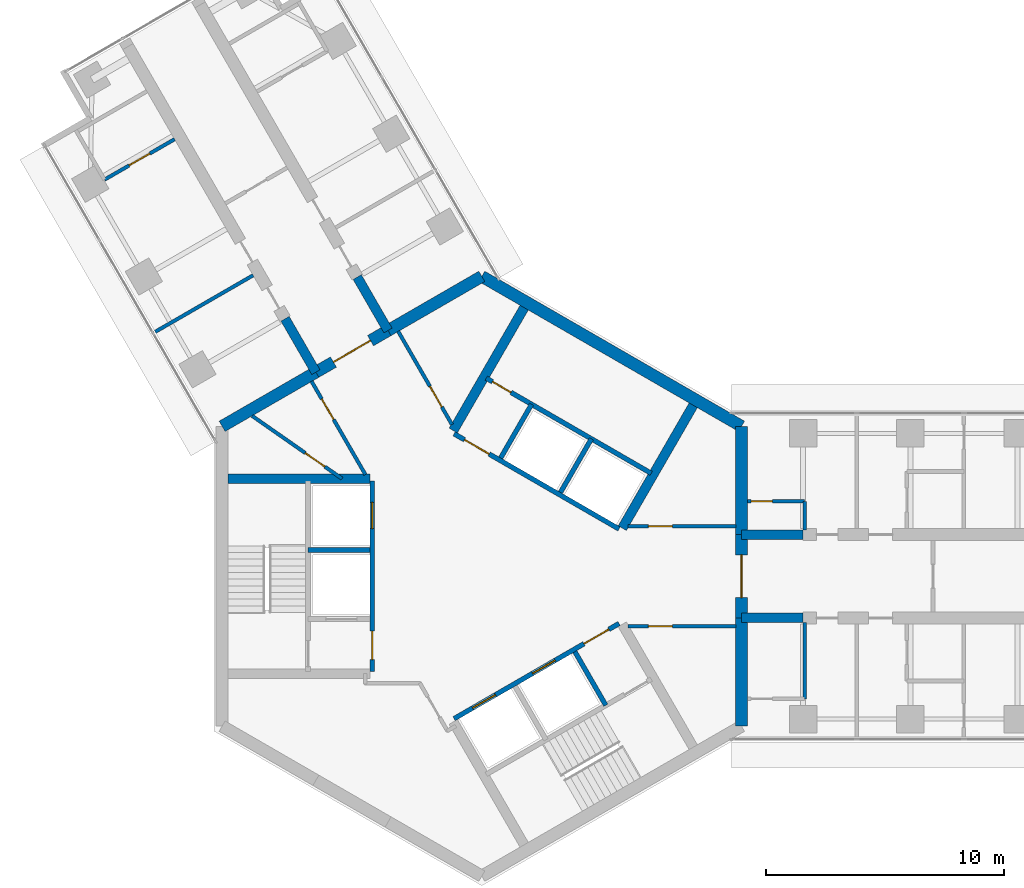
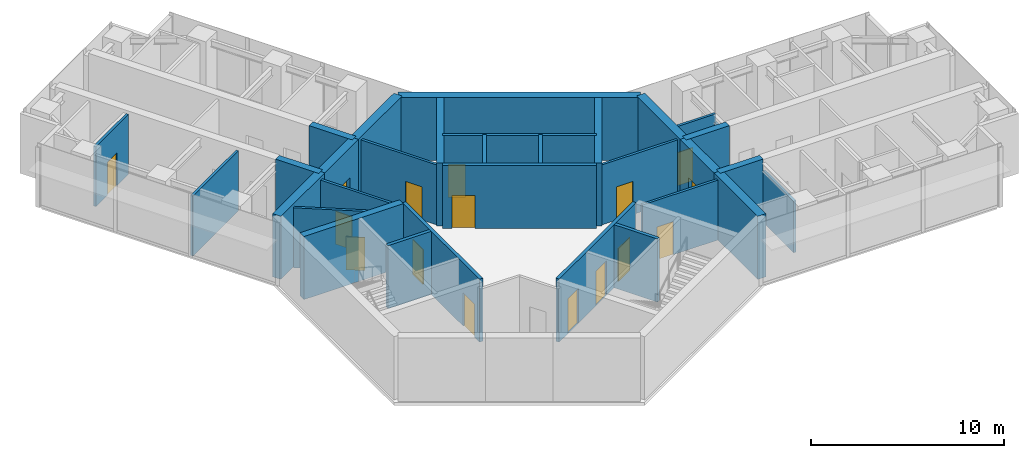
# One storey, part 12 of 17: 32 walls, 16 doors, 16 openings.
"""IFC4 building model written with IfcOpenShell, lengths in metres."""

import ifcopenshell
import ifcopenshell.guid

model = None  # the IFC model being written
_history = None  # IfcOwnerHistory: only IFC2X3 demands one
_inside = {}  # id of a spatial element -> (the spatial element, [elements in it])
_under = {}  # id of a project, library or spatial element -> (it, [spatial elements below it])
_declared = {}  # id of a project -> (the project, [libraries it declares])
_typed = {}  # id of a type object -> (the type object, [elements of that type])
_made_of = {}  # id of a material, layer set ... -> (it, [elements and type objects made of it])


def new_model(schema):
    """Start an empty IFC model of exactly this schema.

    Asked for "IFC4X3", IfcOpenShell would pick the latest addendum, in which some entities
    have other attributes; the version numbers below select the first issue.
    IFC2X3 requires an IfcOwnerHistory on every rooted entity: one is made here for all.
    """
    global model, _history
    if schema == "IFC4X3":
        model = ifcopenshell.file(schema_version=(4, 3, 0, 0))
    else:
        model = ifcopenshell.file(schema=schema)
    _inside.clear()
    _under.clear()
    _declared.clear()
    _typed.clear()
    _made_of.clear()
    _history = None
    if model.schema == "IFC2X3":
        org = make("IfcOrganization", Name="unknown")
        user = make(
            "IfcPersonAndOrganization",
            ThePerson=make("IfcPerson", FamilyName="unknown"),
            TheOrganization=org,
        )
        app = make(
            "IfcApplication",
            ApplicationDeveloper=org,
            Version="unknown",
            ApplicationFullName="unknown",
            ApplicationIdentifier="unknown",
        )
        _history = make(
            "IfcOwnerHistory",
            OwningUser=user,
            OwningApplication=app,
            ChangeAction="ADDED",
            CreationDate=0,
        )
    return model


def make(cls, **values):
    """One entity of the class cls with the attributes given. An attribute that is None is left unset."""
    return model.create_entity(
        cls, **{name: value for name, value in values.items() if value is not None}
    )


def rooted(cls, **values):
    """An entity with a GlobalId (a new one), such as an element, a storey or a relation."""
    return make(cls, GlobalId=ifcopenshell.guid.new(), OwnerHistory=_history, **values)


def si_unit(unit_type, name, prefix=None):
    """IfcSIUnit, for example si_unit("LENGTHUNIT", "METRE", prefix="MILLI")."""
    return make("IfcSIUnit", UnitType=unit_type, Prefix=prefix, Name=name)


def assignment(units):
    """IfcUnitAssignment: the units of a project."""
    return None if units is None else make("IfcUnitAssignment", Units=units)


def point(xyz):
    """IfcCartesianPoint."""
    return None if xyz is None else make("IfcCartesianPoint", Coordinates=xyz)


def direction(xyz):
    """IfcDirection."""
    return None if xyz is None else make("IfcDirection", DirectionRatios=xyz)


def frame(location, z_axis=None, x_axis=None):
    """IfcAxis2Placement3D, a coordinate frame: its origin and axes. An axis left out is left unset."""
    return make(
        "IfcAxis2Placement3D",
        Location=point(location),
        Axis=direction(z_axis),
        RefDirection=direction(x_axis),
    )


def frame_2d(location, x_axis=None):
    """IfcAxis2Placement2D, a coordinate frame in the plane: its origin and x axis."""
    return make(
        "IfcAxis2Placement2D", Location=point(location), RefDirection=direction(x_axis)
    )


def origin():
    """The frame at (0, 0, 0) with its axes left unset."""
    return frame((0.0, 0.0, 0.0))


def place(relative_to, where):
    """IfcLocalPlacement: puts the frame where relative to a parent placement (None: the world)."""
    return make(
        "IfcLocalPlacement", PlacementRelTo=relative_to, RelativePlacement=where
    )


def context(
    kind, dimensions, precision=None, world=None, true_north=None, identifier=None
):
    """IfcGeometricRepresentationContext, for example the 3D "Model" context."""
    return make(
        "IfcGeometricRepresentationContext",
        ContextIdentifier=identifier,
        ContextType=kind,
        CoordinateSpaceDimension=dimensions,
        Precision=precision,
        WorldCoordinateSystem=world,
        TrueNorth=true_north,
    )


def subcontext(parent, identifier, kind, view, scale=None):
    """IfcGeometricRepresentationSubContext, for example "Body" below "Model"."""
    return make(
        "IfcGeometricRepresentationSubContext",
        ContextIdentifier=identifier,
        ContextType=kind,
        ParentContext=parent,
        TargetScale=scale,
        TargetView=view,
    )


def project(units=None, contexts=None):
    """IfcProject with its units and contexts."""
    return rooted(
        "IfcProject",
        Name="project",
        RepresentationContexts=contexts,
        UnitsInContext=assignment(units),
    )


def spatial(cls, under=None, at=None, **own):
    """A site, building, storey or space (cls), placed at a placement, below another one or the project."""
    s = rooted(cls, ObjectPlacement=at, **own)
    if under is not None:
        _under.setdefault(under.id(), (under, []))[1].append(s)
    return s


def profile(cls, at=None, kind="AREA", **sizes):
    """A parametric profile (cls). Its sizes go by their IFC names, for example OverallWidth=200.0."""
    return make(cls, ProfileType=kind, Position=at, **sizes)


def rectangle(**sizes):
    """IfcRectangleProfileDef."""
    return profile("IfcRectangleProfileDef", **sizes)


def extrude(swept, where, along, depth):
    """IfcExtrudedAreaSolid: the profile swept, set in the frame where, extruded along a direction by depth."""
    return make(
        "IfcExtrudedAreaSolid",
        SweptArea=swept,
        Position=where,
        ExtrudedDirection=direction(along),
        Depth=depth,
    )


def shape(context_of_items, identifier, shape_type, items):
    """IfcShapeRepresentation: the items that make up one representation, for example the "Body"."""
    return make(
        "IfcShapeRepresentation",
        ContextOfItems=context_of_items,
        RepresentationIdentifier=identifier,
        RepresentationType=shape_type,
        Items=items,
    )


def material(Name=None, Category=None):
    """IfcMaterial."""
    return make("IfcMaterial", Name=Name, Category=Category)


def layer(
    of_material, thickness, ventilated=None, Name=None, Category=None, Priority=None
):
    """IfcMaterialLayer: one layer of a wall or slab, of a material (None: an air gap)."""
    return make(
        "IfcMaterialLayer",
        Material=of_material,
        LayerThickness=thickness,
        IsVentilated=ventilated,
        Name=Name,
        Category=Category,
        Priority=Priority,
    )


def layer_set(layers, Name=None):
    """IfcMaterialLayerSet."""
    return make("IfcMaterialLayerSet", MaterialLayers=layers, LayerSetName=Name)


def made_of(thing, what):
    """Note that an element or type object is made of a material, layer set ...; save() writes the relation."""
    if what is not None:
        _made_of.setdefault(what.id(), (what, []))[1].append(thing)
    return thing


def type_object(cls, material=None, **own):
    """A type object (cls), such as IfcWallType, which elements share."""
    return made_of(rooted(cls, **own), material)


def element(
    cls,
    number,
    at=None,
    inside=None,
    cuts=None,
    type_object=None,
    material=None,
    context=None,
    identifier="Body",
    shape_type=None,
    held_by="IfcProductDefinitionShape",
    body=None,
    shapes=None,
    **own,
):
    """One element of the class cls, such as IfcWall. Its Tag is "e" and its number.

    at: its placement. inside: the storey or other place that contains it. cuts: it is an
    opening in that element (IfcRelVoidsElement). A single representation is given by context,
    identifier, shape_type and body (its items); several are given by shapes. held_by: the class
    of the entity that holds the representations. save() writes the other relations.
    """
    e = rooted(cls, Tag="e%d" % number, ObjectPlacement=at, **own)
    if body is not None:
        shapes = [shape(context, identifier, shape_type, body)]
    if shapes is not None:
        e.Representation = make(held_by, Representations=shapes)
    if inside is not None:
        _inside.setdefault(inside.id(), (inside, []))[1].append(e)
    if cuts is not None:
        rooted(
            "IfcRelVoidsElement", RelatingBuildingElement=cuts, RelatedOpeningElement=e
        )
    if type_object is not None:
        _typed.setdefault(type_object.id(), (type_object, []))[1].append(e)
    return made_of(e, material)


def fill(opening, filler):
    """IfcRelFillsElement: the door or window that sits in an opening."""
    return rooted(
        "IfcRelFillsElement",
        RelatingOpeningElement=opening,
        RelatedBuildingElement=filler,
    )


def aggregate(whole, parts):
    """IfcRelAggregates: a whole, such as a stair, and the parts it consists of."""
    return rooted("IfcRelAggregates", RelatingObject=whole, RelatedObjects=parts)


def save(model, path):
    """Write the relations noted so far, then the file.

    IfcRelAggregates (storeys below a building ...), IfcRelContainedInSpatialStructure (elements
    in a storey), IfcRelDefinesByType, IfcRelAssociatesMaterial and IfcRelDeclares: one each for
    every whole, place, type object, material and project.
    """
    for whole, parts in _under.values():
        aggregate(whole, parts)
    for where, things in _inside.values():
        rooted(
            "IfcRelContainedInSpatialStructure",
            RelatedElements=things,
            RelatingStructure=where,
        )
    for kind, things in _typed.values():
        rooted("IfcRelDefinesByType", RelatedObjects=things, RelatingType=kind)
    for what, things in _made_of.values():
        rooted("IfcRelAssociatesMaterial", RelatedObjects=things, RelatingMaterial=what)
    for by, libraries in _declared.values():
        rooted("IfcRelDeclares", RelatingContext=by, RelatedDefinitions=libraries)
    model.write(path)


model = new_model("IFC4")

# Units and contexts
model_context = context("Model", 3, precision=1e-05, world=origin(), true_north=direction((0.0, 1.0)))
body_context = subcontext(model_context, "Body", "Model", "MODEL_VIEW")
ifc_project = project(units=[si_unit("LENGTHUNIT", "METRE"), si_unit("AREAUNIT", "SQUARE_METRE"), si_unit("VOLUMEUNIT", "CUBIC_METRE"), si_unit("PLANEANGLEUNIT", "RADIAN"), si_unit("MASSUNIT", "GRAM", prefix="KILO")], contexts=[model_context])

# Site, building, storey
site_placement = place(None, origin())
site = spatial("IfcSite", under=ifc_project, at=site_placement, CompositionType="ELEMENT")
building_placement = place(site_placement, origin())
building = spatial("IfcBuilding", under=site, at=building_placement, Name="Upepo Twin Towers", CompositionType="ELEMENT")
storey_placement = place(building_placement, frame((0.0, 0.0, 206.5)))
storey = spatial("IfcBuildingStorey", under=building, at=storey_placement, Name="L50", CompositionType="ELEMENT", Elevation=206.5)

# Walls
ifc_material_1 = material(Name="Concrete C60/75", Category="concrete")
ifc_layer_1 = layer(ifc_material_1, 0.39990234375)
ifc_layer_set_1 = layer_set([ifc_layer_1], Name="Concrete C60/75")
wall_type_1 = type_object("IfcWallType", Name="Buttress wall 400 RC", PredefinedType="SHEAR", material=ifc_layer_set_1)
for number, where, z_axis, x_axis, name in (
    (1, (10.908447265625, 1.75, 0.0), (0.0, 0.0, 1.0), (1.0, 0.0, 0.0), "T1 wing A buttress wall L"),
    (2, (10.908447265625, -1.75, 0.0), (0.0, 0.0, 1.0), (1.0, 0.0, 0.0), "T1 wing A buttress wall R"),
):
    element("IfcWall", number, at=place(storey_placement, frame(where, z_axis=z_axis, x_axis=x_axis)), inside=storey, type_object=wall_type_1, Name=name, PredefinedType="SHEAR", context=body_context, shape_type="SweptSolid", body=[
        extrude(rectangle(XDim=2.591552734375, YDim=0.39990234375, at=frame_2d((1.2958984375, 0.0))), origin(), (0.0, 0.0, 1.0), 4.0),
    ])
for number, where, z_axis, x_axis, name in (
    (3, (-6.9697265625, 8.57177734375, 0.0), (0.0, 0.0, 1.0), (-0.499988811324, 0.866031863473, 0.0), "T1 wing B buttress wall L"),
    (4, (-3.938720703125, 10.32177734375, 0.0), (0.0, 0.0, 1.0), (-0.499918158782, 0.866072649678, 0.0), "T1 wing B buttress wall R"),
):
    element("IfcWall", number, at=place(storey_placement, frame(where, z_axis=z_axis, x_axis=x_axis)), inside=storey, type_object=wall_type_1, Name=name, PredefinedType="SHEAR", context=body_context, shape_type="SweptSolid", body=[
        extrude(rectangle(XDim=2.591796875, YDim=0.39990234375, at=frame_2d((1.2958984375, 0.0))), origin(), (0.0, 0.0, 1.0), 4.0),
    ])
ifc_material_2 = material(Name="Concrete C60/75", Category="concrete")
ifc_layer_2 = layer(ifc_material_2, 0.5)
ifc_layer_set_2 = layer_set([ifc_layer_2], Name="Concrete C60/75")
wall_type_2 = type_object("IfcWallType", Name="Core wall 500 RC", PredefinedType="SHEAR", material=ifc_layer_set_2)
wall_1_placement = place(storey_placement, frame((10.908447265625, -6.2978515625, 0.0), z_axis=(0.0, 0.0, 1.0), x_axis=(0.0, 1.0, 0.0)))
element("IfcWall", 5, at=wall_1_placement, inside=storey, type_object=wall_type_2, Name="T1 core wall 000 R", PredefinedType="SHEAR", context=body_context, shape_type="SweptSolid", body=[
    extrude(rectangle(XDim=4.5478515625, YDim=0.5, at=frame_2d((2.27392578125, 0.0))), origin(), (0.0, 0.0, 1.0), 4.0),
])

# Wall, opening, door
wall_2_placement = place(storey_placement, frame((10.908447265625, -1.75, 0.0), z_axis=(0.0, 0.0, 1.0), x_axis=(0.0, 1.0, 0.0)))
wall_2 = element("IfcWall", 6, at=wall_2_placement, inside=storey, type_object=wall_type_2, Name="T1 core wall 000", PredefinedType="SHEAR", context=body_context, shape_type="SweptSolid", body=[
    extrude(rectangle(XDim=3.5, YDim=0.5, at=frame_2d((1.75, 0.0))), origin(), (0.0, 0.0, 1.0), 4.0),
])
opening_1_placement = place(wall_2_placement, frame((0.85009765625, 0.0, 0.0)))
opening_1 = element("IfcOpeningElement", 7, at=opening_1_placement, cuts=wall_2, Name="Opening D2", PredefinedType="OPENING", context=body_context, shape_type="SweptSolid", body=[
    extrude(rectangle(XDim=1.800048828125, YDim=2.10009765625, at=frame_2d((0.89990234375, 1.050048828125))), frame((0.0, 0.260009765625, 0.0), z_axis=(0.0, -1.0, 0.0), x_axis=(1.0, 0.0, 0.0)), (0.0, 0.0, 1.0), 0.52001953125),
])
ifc_material_3 = material(Name="Timber doorset", Category="wood")
door_type_1 = type_object("IfcDoorType", Name="Corridor double door 1800 FD60", OperationType="DOUBLE_DOOR_DOUBLE_SWING", PredefinedType="DOOR", material=ifc_material_3)
door_1_placement = place(opening_1_placement, origin())
door_1 = element("IfcDoor", 8, at=door_1_placement, inside=storey, type_object=door_type_1, Name="T1 L50 wing A corridor door", OperationType="DOUBLE_DOOR_DOUBLE_SWING", OverallHeight=2.10009765625, OverallWidth=1.800048828125, PredefinedType="DOOR", context=body_context, shape_type="SweptSolid", body=[
    extrude(rectangle(XDim=1.800048828125, YDim=2.10009765625, at=frame_2d((0.89990234375, 1.050048828125))), frame((0.0, 0.02490234375, 0.0), z_axis=(0.0, -1.0, 0.0), x_axis=(1.0, 0.0, 0.0)), (0.0, 0.0, 1.0), 0.050048828125),
])
fill(opening_1, door_1)

# Walls
wall_3_placement = place(storey_placement, frame((10.908447265625, 1.75, 0.0), z_axis=(0.0, 0.0, 1.0), x_axis=(0.0, 1.0, 0.0)))
element("IfcWall", 9, at=wall_3_placement, inside=storey, type_object=wall_type_2, Name="T1 core wall 000 L", PredefinedType="SHEAR", context=body_context, shape_type="SweptSolid", body=[
    extrude(rectangle(XDim=4.5478515625, YDim=0.5, at=frame_2d((2.27392578125, 0.0))), origin(), (0.0, 0.0, 1.0), 4.0),
])
wall_4_placement = place(storey_placement, frame((10.908447265625, 6.2978515625, 0.0), z_axis=(0.0, 0.0, 1.0), x_axis=(-0.866021940709, 0.500005998175, 0.0)))
element("IfcWall", 10, at=wall_4_placement, inside=storey, type_object=wall_type_2, Name="T1 core wall 060", PredefinedType="SHEAR", context=body_context, shape_type="SweptSolid", body=[
    extrude(rectangle(XDim=12.595947265625, YDim=0.5, at=frame_2d((6.2978515625, 0.0))), origin(), (0.0, 0.0, 1.0), 4.0),
])
wall_5_placement = place(storey_placement, frame((0.0, 12.595947265625, 0.0), z_axis=(0.0, 0.0, 1.0), x_axis=(-0.866011268655, -0.500024481964, 0.0)))
element("IfcWall", 11, at=wall_5_placement, inside=storey, type_object=wall_type_2, Name="T1 core wall 120 R", PredefinedType="SHEAR", context=body_context, shape_type="SweptSolid", body=[
    extrude(rectangle(XDim=4.548095703125, YDim=0.5, at=frame_2d((2.27392578125, 0.0))), origin(), (0.0, 0.0, 1.0), 4.0),
])

# Wall, opening, door
wall_6_placement = place(storey_placement, frame((-3.938720703125, 10.32177734375, 0.0), z_axis=(0.0, 0.0, 1.0), x_axis=(-0.866019471182, -0.500010275428, 0.0)))
wall_6 = element("IfcWall", 12, at=wall_6_placement, inside=storey, type_object=wall_type_2, Name="T1 core wall 120", PredefinedType="SHEAR", context=body_context, shape_type="SweptSolid", body=[
    extrude(rectangle(XDim=3.5, YDim=0.5, at=frame_2d((1.75, 0.0))), origin(), (0.0, 0.0, 1.0), 4.0),
])
opening_2_placement = place(wall_6_placement, frame((0.85009765625, 0.0, 0.0)))
opening_2 = element("IfcOpeningElement", 13, at=opening_2_placement, cuts=wall_6, Name="Opening D2", PredefinedType="OPENING", context=body_context, shape_type="SweptSolid", body=[
    extrude(rectangle(XDim=1.800048828125, YDim=2.10009765625, at=frame_2d((0.89990234375, 1.050048828125))), frame((0.0, 0.260009765625, 0.0), z_axis=(0.0, -1.0, 0.0), x_axis=(1.0, 0.0, 0.0)), (0.0, 0.0, 1.0), 0.52001953125),
])
door_2_placement = place(opening_2_placement, origin())
door_2 = element("IfcDoor", 14, at=door_2_placement, inside=storey, type_object=door_type_1, Name="T1 L50 wing B corridor door", OperationType="DOUBLE_DOOR_DOUBLE_SWING", OverallHeight=2.10009765625, OverallWidth=1.800048828125, PredefinedType="DOOR", context=body_context, shape_type="SweptSolid", body=[
    extrude(rectangle(XDim=1.800048828125, YDim=2.10009765625, at=frame_2d((0.89990234375, 1.050048828125))), frame((0.0, 0.02490234375, 0.0), z_axis=(0.0, -1.0, 0.0), x_axis=(1.0, 0.0, 0.0)), (0.0, 0.0, 1.0), 0.050048828125),
])
fill(opening_2, door_2)

# Wall
wall_7_placement = place(storey_placement, frame((-6.9697265625, 8.57177734375, 0.0), z_axis=(0.0, 0.0, 1.0), x_axis=(-0.866034513004, -0.499984222037, 0.0)))
element("IfcWall", 15, at=wall_7_placement, inside=storey, type_object=wall_type_2, Name="T1 core wall 120 L", PredefinedType="SHEAR", context=body_context, shape_type="SweptSolid", body=[
    extrude(rectangle(XDim=4.548095703125, YDim=0.5, at=frame_2d((2.27392578125, 0.0))), origin(), (0.0, 0.0, 1.0), 4.0),
])

# Wall, opening, door
ifc_material_4 = material(Name="Concrete C40/50", Category="concrete")
ifc_layer_3 = layer(ifc_material_4, 0.199951171875)
ifc_layer_set_3 = layer_set([ifc_layer_3], Name="Concrete C40/50")
wall_type_3 = type_object("IfcWallType", Name="Shaft wall 200 RC", PredefinedType="SHEAR", material=ifc_layer_set_3)
wall_8_placement = place(storey_placement, frame((5.76416015625, 1.983642578125, 0.0), z_axis=(0.0, 0.0, 1.0), x_axis=(-0.866026010844, 0.49999894854, 0.0)))
wall_8 = element("IfcWall", 16, at=wall_8_placement, inside=storey, type_object=wall_type_3, Name="T1 core W60 front wall", PredefinedType="SHEAR", context=body_context, shape_type="SweptSolid", body=[
    extrude(rectangle(XDim=8.0, YDim=0.199951171875, at=frame_2d((4.0, 0.0))), origin(), (0.0, 0.0, 1.0), 4.0),
])
opening_3_placement = place(wall_8_placement, frame((6.300048828125, 0.0, 0.0)))
opening_3 = element("IfcOpeningElement", 17, at=opening_3_placement, cuts=wall_8, Name="Opening D4", PredefinedType="OPENING", context=body_context, shape_type="SweptSolid", body=[
    extrude(rectangle(XDim=1.199951171875, YDim=2.10009765625, at=frame_2d((0.60009765625, 1.050048828125))), frame((0.0, 0.10986328125, 0.0), z_axis=(0.0, -1.0, 0.0), x_axis=(1.0, 0.0, 0.0)), (0.0, 0.0, 1.0), 0.219970703125),
])
ifc_material_5 = material(Name="Timber doorset", Category="wood")
door_type_2 = type_object("IfcDoorType", Name="Lobby door 1200 FD60", OperationType="SINGLE_SWING_LEFT", PredefinedType="DOOR", material=ifc_material_5)
door_3_placement = place(opening_3_placement, origin())
door_3 = element("IfcDoor", 18, at=door_3_placement, inside=storey, type_object=door_type_2, Name="T1 L50 W60 lobby door", OperationType="SINGLE_SWING_RIGHT", OverallHeight=2.10009765625, OverallWidth=1.199951171875, PredefinedType="DOOR", context=body_context, shape_type="SweptSolid", body=[
    extrude(rectangle(XDim=1.199951171875, YDim=2.10009765625, at=frame_2d((0.60009765625, 1.050048828125))), frame((0.0, 0.02490234375, 0.0), z_axis=(0.0, -1.0, 0.0), x_axis=(1.0, 0.0, 0.0)), (0.0, 0.0, 1.0), 0.050048828125),
])
fill(opening_3, door_3)

# Walls
for number, where, z_axis, x_axis, name in (
    (19, (3.302734375, 3.520263671875, 0.0), (0.0, 0.0, 1.0), (0.499936506574, 0.866062058628, 0.0), "T1 core W60 shaft divider"),
    (20, (0.791259765625, 4.97021484375, 0.0), (0.0, 0.0, 1.0), (0.499936506574, 0.866062058628, 0.0), "T1 core W60 lobby wall"),
):
    element("IfcWall", number, at=place(storey_placement, frame(where, z_axis=z_axis, x_axis=x_axis)), inside=storey, type_object=wall_type_3, Name=name, PredefinedType="SHEAR", context=body_context, shape_type="SweptSolid", body=[
        extrude(rectangle(XDim=2.599853515625, YDim=0.199951171875, at=frame_2d((1.2998046875, 0.0))), origin(), (0.0, 0.0, 1.0), 4.0),
    ])

# Wall, opening, door
wall_9_placement = place(storey_placement, frame((7.114013671875, 4.322021484375, 0.0), z_axis=(0.0, 0.0, 1.0), x_axis=(-0.866026010844, 0.49999894854, 0.0)))
wall_9 = element("IfcWall", 21, at=wall_9_placement, inside=storey, type_object=wall_type_3, Name="T1 core W60 stair wall", PredefinedType="SHEAR", context=body_context, shape_type="SweptSolid", body=[
    extrude(rectangle(XDim=8.0, YDim=0.199951171875, at=frame_2d((4.0, 0.0))), origin(), (0.0, 0.0, 1.0), 4.0),
])
opening_4_placement = place(wall_9_placement, frame((6.800048828125, 0.0, 0.0)))
opening_4 = element("IfcOpeningElement", 22, at=opening_4_placement, cuts=wall_9, Name="Opening D9", PredefinedType="OPENING", context=body_context, shape_type="SweptSolid", body=[
    extrude(rectangle(XDim=0.89990234375, YDim=2.10009765625, at=frame_2d((0.449951171875, 1.050048828125))), frame((0.0, 0.10986328125, 0.0), z_axis=(0.0, -1.0, 0.0), x_axis=(1.0, 0.0, 0.0)), (0.0, 0.0, 1.0), 0.219970703125),
])
ifc_material_6 = material(Name="Timber doorset", Category="wood")
door_type_3 = type_object("IfcDoorType", Name="Riser door 900 FD60", OperationType="SINGLE_SWING_LEFT", PredefinedType="DOOR", material=ifc_material_6)
door_4_placement = place(opening_4_placement, origin())
door_4 = element("IfcDoor", 23, at=door_4_placement, inside=storey, type_object=door_type_3, Name="T1 L50 riser door", OperationType="SINGLE_SWING_RIGHT", OverallHeight=2.10009765625, OverallWidth=0.89990234375, PredefinedType="DOOR", context=body_context, shape_type="SweptSolid", body=[
    extrude(rectangle(XDim=0.89990234375, YDim=2.10009765625, at=frame_2d((0.449951171875, 1.050048828125))), frame((0.0, 0.02490234375, 0.0), z_axis=(0.0, -1.0, 0.0), x_axis=(1.0, 0.0, 0.0)), (0.0, 0.0, 1.0), 0.050048828125),
])
fill(opening_4, door_4)

# Wall, openings, doors
wall_10_placement = place(storey_placement, frame((-4.60009765625, 4.0, 0.0), z_axis=(0.0, 0.0, 1.0), x_axis=(0.0, -1.0, 0.0)))
wall_10 = element("IfcWall", 24, at=wall_10_placement, inside=storey, type_object=wall_type_3, Name="T1 core W180 front wall", PredefinedType="SHEAR", context=body_context, shape_type="SweptSolid", body=[
    extrude(rectangle(XDim=8.0, YDim=0.199951171875, at=frame_2d((4.0, 0.0))), origin(), (0.0, 0.0, 1.0), 4.0),
])
opening_5_placement = place(wall_10_placement, frame((6.300048828125, 0.0, 0.0)))
opening_5 = element("IfcOpeningElement", 25, at=opening_5_placement, cuts=wall_10, Name="Opening D4", PredefinedType="OPENING", context=body_context, shape_type="SweptSolid", body=[
    extrude(rectangle(XDim=1.199951171875, YDim=2.10009765625, at=frame_2d((0.60009765625, 1.050048828125))), frame((0.0, 0.10986328125, 0.0), z_axis=(0.0, -1.0, 0.0), x_axis=(1.0, 0.0, 0.0)), (0.0, 0.0, 1.0), 0.219970703125),
])
opening_6_placement = place(wall_10_placement, frame((0.89990234375, 0.0, 0.0)))
opening_6 = element("IfcOpeningElement", 26, at=opening_6_placement, cuts=wall_10, Name="Opening LD1", PredefinedType="OPENING", context=body_context, shape_type="SweptSolid", body=[
    extrude(rectangle(XDim=1.10009765625, YDim=2.199951171875, at=frame_2d((0.550048828125, 1.10009765625))), frame((0.0, 0.10986328125, 0.0), z_axis=(0.0, -1.0, 0.0), x_axis=(1.0, 0.0, 0.0)), (0.0, 0.0, 1.0), 0.219970703125),
])
ifc_material_7 = material(Name="Steel doorset", Category="steel")
door_type_4 = type_object("IfcDoorType", Name="Lift landing door 1100", OperationType="DOUBLE_DOOR_SLIDING", PredefinedType="DOOR", material=ifc_material_7)
door_5_placement = place(opening_6_placement, origin())
door_5 = element("IfcDoor", 27, at=door_5_placement, inside=storey, type_object=door_type_4, Name="T1 L50 lift SV1 landing door", OperationType="DOUBLE_DOOR_SLIDING", OverallHeight=2.199951171875, OverallWidth=1.10009765625, PredefinedType="DOOR", context=body_context, shape_type="SweptSolid", body=[
    extrude(rectangle(XDim=1.10009765625, YDim=2.199951171875, at=frame_2d((0.550048828125, 1.10009765625))), frame((0.0, 0.02490234375, 0.0), z_axis=(0.0, -1.0, 0.0), x_axis=(1.0, 0.0, 0.0)), (0.0, 0.0, 1.0), 0.050048828125),
])
fill(opening_6, door_5)
door_6_placement = place(opening_5_placement, origin())
door_6 = element("IfcDoor", 28, at=door_6_placement, inside=storey, type_object=door_type_2, Name="T1 L50 W180 lobby door", OperationType="SINGLE_SWING_RIGHT", OverallHeight=2.10009765625, OverallWidth=1.199951171875, PredefinedType="DOOR", context=body_context, shape_type="SweptSolid", body=[
    extrude(rectangle(XDim=1.199951171875, YDim=2.10009765625, at=frame_2d((0.60009765625, 1.050048828125))), frame((0.0, 0.02490234375, 0.0), z_axis=(0.0, -1.0, 0.0), x_axis=(1.0, 0.0, 0.0)), (0.0, 0.0, 1.0), 0.050048828125),
])
fill(opening_5, door_6)

# Wall
wall_11_placement = place(storey_placement, frame((-4.699951171875, 1.10009765625, 0.0), z_axis=(0.0, 0.0, 1.0), x_axis=(-1.0, 0.0, 0.0)))
element("IfcWall", 29, at=wall_11_placement, inside=storey, type_object=wall_type_3, Name="T1 core W180 shaft divider", PredefinedType="SHEAR", context=body_context, shape_type="SweptSolid", body=[
    extrude(rectangle(XDim=2.60009765625, YDim=0.199951171875, at=frame_2d((1.300048828125, 0.0))), origin(), (0.0, 0.0, 1.0), 4.0),
])

# Wall, openings, doors
wall_12_placement = place(storey_placement, frame((-1.1640625, -5.983642578125, 0.0), z_axis=(0.0, 0.0, 1.0), x_axis=(0.866026010844, 0.49999894854, 0.0)))
wall_12 = element("IfcWall", 30, at=wall_12_placement, inside=storey, type_object=wall_type_3, Name="T1 core W300 front wall", PredefinedType="SHEAR", context=body_context, shape_type="SweptSolid", body=[
    extrude(rectangle(XDim=8.0, YDim=0.199951171875, at=frame_2d((4.0, 0.0))), origin(), (0.0, 0.0, 1.0), 4.0),
])
opening_7_placement = place(wall_12_placement, frame((6.300048828125, 0.0, 0.0)))
opening_7 = element("IfcOpeningElement", 31, at=opening_7_placement, cuts=wall_12, Name="Opening D4", PredefinedType="OPENING", context=body_context, shape_type="SweptSolid", body=[
    extrude(rectangle(XDim=1.199951171875, YDim=2.10009765625, at=frame_2d((0.60009765625, 1.050048828125))), frame((0.0, 0.10986328125, 0.0), z_axis=(0.0, -1.0, 0.0), x_axis=(1.0, 0.0, 0.0)), (0.0, 0.0, 1.0), 0.219970703125),
])
opening_8_placement = place(wall_12_placement, frame((0.89990234375, 0.0, 0.0)))
opening_8 = element("IfcOpeningElement", 32, at=opening_8_placement, cuts=wall_12, Name="Opening LD1", PredefinedType="OPENING", context=body_context, shape_type="SweptSolid", body=[
    extrude(rectangle(XDim=1.10009765625, YDim=2.199951171875, at=frame_2d((0.550048828125, 1.10009765625))), frame((0.0, 0.10986328125, 0.0), z_axis=(0.0, -1.0, 0.0), x_axis=(1.0, 0.0, 0.0)), (0.0, 0.0, 1.0), 0.219970703125),
])
opening_9_placement = place(wall_12_placement, frame((3.800048828125, 0.0, 0.0)))
opening_9 = element("IfcOpeningElement", 33, at=opening_9_placement, cuts=wall_12, Name="Opening LD1", PredefinedType="OPENING", context=body_context, shape_type="SweptSolid", body=[
    extrude(rectangle(XDim=1.10009765625, YDim=2.199951171875, at=frame_2d((0.550048828125, 1.10009765625))), frame((0.0, 0.10986328125, 0.0), z_axis=(0.0, -1.0, 0.0), x_axis=(1.0, 0.0, 0.0)), (0.0, 0.0, 1.0), 0.219970703125),
])
door_7_placement = place(opening_8_placement, origin())
door_7 = element("IfcDoor", 34, at=door_7_placement, inside=storey, type_object=door_type_4, Name="T1 L50 lift UL1 landing door", OperationType="DOUBLE_DOOR_SLIDING", OverallHeight=2.199951171875, OverallWidth=1.10009765625, PredefinedType="DOOR", context=body_context, shape_type="SweptSolid", body=[
    extrude(rectangle(XDim=1.10009765625, YDim=2.199951171875, at=frame_2d((0.550048828125, 1.10009765625))), frame((0.0, 0.02490234375, 0.0), z_axis=(0.0, -1.0, 0.0), x_axis=(1.0, 0.0, 0.0)), (0.0, 0.0, 1.0), 0.050048828125),
])
fill(opening_8, door_7)
door_8_placement = place(opening_9_placement, origin())
door_8 = element("IfcDoor", 35, at=door_8_placement, inside=storey, type_object=door_type_4, Name="T1 L50 lift UL2 landing door", OperationType="DOUBLE_DOOR_SLIDING", OverallHeight=2.199951171875, OverallWidth=1.10009765625, PredefinedType="DOOR", context=body_context, shape_type="SweptSolid", body=[
    extrude(rectangle(XDim=1.10009765625, YDim=2.199951171875, at=frame_2d((0.550048828125, 1.10009765625))), frame((0.0, 0.02490234375, 0.0), z_axis=(0.0, -1.0, 0.0), x_axis=(1.0, 0.0, 0.0)), (0.0, 0.0, 1.0), 0.050048828125),
])
fill(opening_9, door_8)
door_9_placement = place(opening_7_placement, origin())
door_9 = element("IfcDoor", 36, at=door_9_placement, inside=storey, type_object=door_type_2, Name="T1 L50 W300 lobby door", OperationType="SINGLE_SWING_RIGHT", OverallHeight=2.10009765625, OverallWidth=1.199951171875, PredefinedType="DOOR", context=body_context, shape_type="SweptSolid", body=[
    extrude(rectangle(XDim=1.199951171875, YDim=2.10009765625, at=frame_2d((0.60009765625, 1.050048828125))), frame((0.0, 0.02490234375, 0.0), z_axis=(0.0, -1.0, 0.0), x_axis=(1.0, 0.0, 0.0)), (0.0, 0.0, 1.0), 0.050048828125),
])
fill(opening_7, door_9)

# Walls
wall_13_placement = place(storey_placement, frame((3.908935546875, -3.17041015625, 0.0), z_axis=(0.0, 0.0, 1.0), x_axis=(0.49997716683, -0.86603858612, 0.0)))
element("IfcWall", 37, at=wall_13_placement, inside=storey, type_object=wall_type_3, Name="T1 core W300 lobby wall", PredefinedType="SHEAR", context=body_context, shape_type="SweptSolid", body=[
    extrude(rectangle(XDim=2.599609375, YDim=0.199951171875, at=frame_2d((1.2998046875, 0.0))), origin(), (0.0, 0.0, 1.0), 4.0),
])
ifc_material_8 = material(Name="Concrete C40/50", Category="concrete")
ifc_layer_4 = layer(ifc_material_8, 0.39990234375)
ifc_layer_set_4 = layer_set([ifc_layer_4], Name="Concrete C40/50")
wall_type_4 = type_object("IfcWallType", Name="Shaft wall 400 RC", PredefinedType="SHEAR", material=ifc_layer_set_4)
wall_14_placement = place(storey_placement, frame((-1.20068359375, 6.120361328125, 0.0), z_axis=(0.0, 0.0, 1.0), x_axis=(0.500021575205, 0.866012946976, 0.0)))
element("IfcWall", 38, at=wall_14_placement, inside=storey, type_object=wall_type_4, Name="T1 core W60 side wall N", PredefinedType="SHEAR", context=body_context, shape_type="SweptSolid", body=[
    extrude(rectangle(XDim=5.958251953125, YDim=0.39990234375, at=frame_2d((2.97900390625, 0.0))), origin(), (0.0, 0.0, 1.0), 4.0),
])
for number, where, z_axis, x_axis, name in (
    (39, (5.900634765625, 2.020263671875, 0.0), (0.0, 0.0, 1.0), (0.500003832394, 0.86602319114, 0.0), "T1 core W60 side wall S"),
    (40, (-4.699951171875, 4.10009765625, 0.0), (0.0, 0.0, 1.0), (-1.0, 0.0, 0.0), "T1 core W180 side wall S"),
):
    element("IfcWall", number, at=place(storey_placement, frame(where, z_axis=z_axis, x_axis=x_axis)), inside=storey, type_object=wall_type_4, Name=name, PredefinedType="SHEAR", context=body_context, shape_type="SweptSolid", body=[
        extrude(rectangle(XDim=5.95849609375, YDim=0.39990234375, at=frame_2d((2.979248046875, 0.0))), origin(), (0.0, 0.0, 1.0), 4.0),
    ])

# Wall, opening, door
ifc_material_9 = material(Name="Gypsum board on steel studs", Category="steel")
ifc_layer_5 = layer(ifc_material_9, 0.14990234375)
ifc_layer_set_5 = layer_set([ifc_layer_5], Name="Teaching partition 150 acoustic")
wall_type_5 = type_object("IfcWallType", Name="Teaching partition 150 acoustic", PredefinedType="PARTITIONING", material=ifc_layer_set_5)
wall_15_placement = place(storey_placement, frame((11.157958984375, 3.14990234375, 0.0), z_axis=(0.0, 0.0, 1.0), x_axis=(1.0, 0.0, 0.0)))
wall_15 = element("IfcWall", 41, at=wall_15_placement, inside=storey, type_object=wall_type_5, Name="T1 WC bay partition AL at 11.16", PredefinedType="PARTITIONING", context=body_context, shape_type="SweptSolid", body=[
    extrude(rectangle(XDim=2.400146484375, YDim=0.14990234375, at=frame_2d((1.2001953125, 0.0))), origin(), (0.0, 0.0, 1.0), 3.800048828125),
])
opening_10_placement = place(wall_15_placement, frame((0.14990234375, 0.0, 0.0)))
opening_10 = element("IfcOpeningElement", 42, at=opening_10_placement, cuts=wall_15, Name="Opening D14", PredefinedType="OPENING", context=body_context, shape_type="SweptSolid", body=[
    extrude(rectangle(XDim=0.89990234375, YDim=2.10009765625, at=frame_2d((0.449951171875, 1.050048828125))), frame((0.0, 0.0849609375, 0.0), z_axis=(0.0, -1.0, 0.0), x_axis=(1.0, 0.0, 0.0)), (0.0, 0.0, 1.0), 0.169921875),
])
ifc_material_10 = material(Name="Timber doorset", Category="wood")
door_type_5 = type_object("IfcDoorType", Name="Office door 900 FD30", OperationType="SINGLE_SWING_LEFT", PredefinedType="DOOR", material=ifc_material_10)
door_10_placement = place(opening_10_placement, origin())
door_10 = element("IfcDoor", 43, at=door_10_placement, inside=storey, type_object=door_type_5, Name="T1 L50 WC bay inner room door", OperationType="SINGLE_SWING_LEFT", OverallHeight=2.10009765625, OverallWidth=0.89990234375, PredefinedType="DOOR", context=body_context, shape_type="SweptSolid", body=[
    extrude(rectangle(XDim=0.89990234375, YDim=2.10009765625, at=frame_2d((0.449951171875, 1.050048828125))), frame((0.0, 0.02490234375, 0.0), z_axis=(0.0, -1.0, 0.0), x_axis=(1.0, 0.0, 0.0)), (0.0, 0.0, 1.0), 0.050048828125),
])
fill(opening_10, door_10)

# Walls
wall_16_placement = place(storey_placement, frame((13.55810546875, 1.949951171875, 0.0), z_axis=(0.0, 0.0, 1.0), x_axis=(0.0, 1.0, 0.0)))
element("IfcWall", 44, at=wall_16_placement, inside=storey, type_object=wall_type_5, Name="T1 WC bay partition AL end at 13.56", PredefinedType="PARTITIONING", context=body_context, shape_type="SweptSolid", body=[
    extrude(rectangle(XDim=1.199951171875, YDim=0.14990234375, at=frame_2d((0.60009765625, 0.0))), origin(), (0.0, 0.0, 1.0), 3.266845703125),
])
wall_17_placement = place(storey_placement, frame((13.55810546875, -1.949951171875, 0.0), z_axis=(0.0, 0.0, 1.0), x_axis=(0.0, -1.0, 0.0)))
element("IfcWall", 45, at=wall_17_placement, inside=storey, type_object=wall_type_5, Name="T1 WC bay partition AR end at 13.56", PredefinedType="PARTITIONING", context=body_context, shape_type="SweptSolid", body=[
    extrude(rectangle(XDim=3.199951171875, YDim=0.14990234375, at=frame_2d((1.60009765625, 0.0))), origin(), (0.0, 0.0, 1.0), 3.266845703125),
])
wall_18_placement = place(storey_placement, frame((-9.60693359375, 12.639892578125, 0.0), z_axis=(0.0, 0.0, 1.0), x_axis=(-0.866033238375, -0.499986429846, 0.0)))
element("IfcWall", 46, at=wall_18_placement, inside=storey, type_object=wall_type_5, Name="T1 partition BL at 15.75", PredefinedType="PARTITIONING", context=body_context, shape_type="SweptSolid", body=[
    extrude(rectangle(XDim=4.750244140625, YDim=0.14990234375, at=frame_2d((2.375, 0.0))), origin(), (0.0, 0.0, 1.0), 3.800048828125),
])

# Wall, opening, door
wall_19_placement = place(storey_placement, frame((-12.906982421875, 18.355712890625, 0.0), z_axis=(0.0, 0.0, 1.0), x_axis=(-0.866038511948, -0.499977295307, 0.0)))
wall_19 = element("IfcWall", 47, at=wall_19_placement, inside=storey, type_object=wall_type_5, Name="T1 inner room partition BL end at 22.35", PredefinedType="PARTITIONING", context=body_context, shape_type="SweptSolid", body=[
    extrude(rectangle(XDim=3.400146484375, YDim=0.14990234375, at=frame_2d((1.7001953125, 0.0))), origin(), (0.0, 0.0, 1.0), 3.800048828125),
])
opening_11_placement = place(wall_19_placement, frame((1.199951171875, 0.0, 0.0)))
opening_11 = element("IfcOpeningElement", 48, at=opening_11_placement, cuts=wall_19, Name="Opening D1", PredefinedType="OPENING", context=body_context, shape_type="SweptSolid", body=[
    extrude(rectangle(XDim=1.0, YDim=2.10009765625, at=frame_2d((0.5, 1.050048828125))), frame((0.0, 0.0849609375, 0.0), z_axis=(0.0, -1.0, 0.0), x_axis=(1.0, 0.0, 0.0)), (0.0, 0.0, 1.0), 0.169921875),
])
ifc_material_11 = material(Name="Timber doorset", Category="wood")
door_type_6 = type_object("IfcDoorType", Name="Room door 1000 FD30", OperationType="SINGLE_SWING_LEFT", PredefinedType="DOOR", material=ifc_material_11)
door_11_placement = place(opening_11_placement, origin())
door_11 = element("IfcDoor", 49, at=door_11_placement, inside=storey, type_object=door_type_6, Name="T1 L50 inner room door", OperationType="SINGLE_SWING_LEFT", OverallHeight=2.10009765625, OverallWidth=1.0, PredefinedType="DOOR", context=body_context, shape_type="SweptSolid", body=[
    extrude(rectangle(XDim=1.0, YDim=2.10009765625, at=frame_2d((0.5, 1.050048828125))), frame((0.0, 0.02490234375, 0.0), z_axis=(0.0, -1.0, 0.0), x_axis=(1.0, 0.0, 0.0)), (0.0, 0.0, 1.0), 0.050048828125),
])
fill(opening_11, door_11)

wall_20_placement = place(storey_placement, frame((-4.889892578125, 4.269775390625, 0.0), z_axis=(0.0, 0.0, 1.0), x_axis=(-0.500032211057, 0.866006805923, 0.0)))
wall_20 = element("IfcWall", 50, at=wall_20_placement, inside=storey, type_object=wall_type_5, Name="T1 core room partition 4", PredefinedType="PARTITIONING", context=body_context, shape_type="SweptSolid", body=[
    extrude(rectangle(XDim=4.525634765625, YDim=0.14990234375, at=frame_2d((2.2626953125, 0.0))), origin(), (0.0, 0.0, 1.0), 3.800048828125),
])
opening_12_placement = place(wall_20_placement, frame((2.66796875, 0.0, 0.0)))
opening_12 = element("IfcOpeningElement", 51, at=opening_12_placement, cuts=wall_20, Name="Opening D1", PredefinedType="OPENING", context=body_context, shape_type="SweptSolid", body=[
    extrude(rectangle(XDim=1.0, YDim=2.10009765625, at=frame_2d((0.5, 1.050048828125))), frame((0.0, 0.0849609375, 0.0), z_axis=(0.0, -1.0, 0.0), x_axis=(1.0, 0.0, 0.0)), (0.0, 0.0, 1.0), 0.169921875),
])
door_12_placement = place(opening_12_placement, origin())
door_12 = element("IfcDoor", 52, at=door_12_placement, inside=storey, type_object=door_type_6, Name="T1 L50 core room door K6", OperationType="SINGLE_SWING_RIGHT", OverallHeight=2.10009765625, OverallWidth=1.0, PredefinedType="DOOR", context=body_context, shape_type="SweptSolid", body=[
    extrude(rectangle(XDim=1.0, YDim=2.10009765625, at=frame_2d((0.5, 1.050048828125))), frame((0.0, 0.02490234375, 0.0), z_axis=(0.0, -1.0, 0.0), x_axis=(1.0, 0.0, 0.0)), (0.0, 0.0, 1.0), 0.050048828125),
])
fill(opening_12, door_12)

wall_21_placement = place(storey_placement, frame((-3.515380859375, 10.2890625, 0.0), z_axis=(0.0, 0.0, 1.0), x_axis=(0.499968392031, -0.866043651885, 0.0)))
wall_21 = element("IfcWall", 53, at=wall_21_placement, inside=storey, type_object=wall_type_5, Name="T1 core room partition 5", PredefinedType="PARTITIONING", context=body_context, shape_type="SweptSolid", body=[
    extrude(rectangle(XDim=4.525634765625, YDim=0.14990234375, at=frame_2d((2.2626953125, 0.0))), origin(), (0.0, 0.0, 1.0), 3.800048828125),
])
opening_13_placement = place(wall_21_placement, frame((2.66796875, 0.0, 0.0)))
opening_13 = element("IfcOpeningElement", 54, at=opening_13_placement, cuts=wall_21, Name="Opening D1", PredefinedType="OPENING", context=body_context, shape_type="SweptSolid", body=[
    extrude(rectangle(XDim=1.0, YDim=2.10009765625, at=frame_2d((0.5, 1.050048828125))), frame((0.0, 0.0849609375, 0.0), z_axis=(0.0, -1.0, 0.0), x_axis=(1.0, 0.0, 0.0)), (0.0, 0.0, 1.0), 0.169921875),
])
door_13_placement = place(opening_13_placement, origin())
door_13 = element("IfcDoor", 55, at=door_13_placement, inside=storey, type_object=door_type_6, Name="T1 L50 core room door K4", OperationType="SINGLE_SWING_RIGHT", OverallHeight=2.10009765625, OverallWidth=1.0, PredefinedType="DOOR", context=body_context, shape_type="SweptSolid", body=[
    extrude(rectangle(XDim=1.0, YDim=2.10009765625, at=frame_2d((0.5, 1.050048828125))), frame((0.0, 0.02490234375, 0.0), z_axis=(0.0, -1.0, 0.0), x_axis=(1.0, 0.0, 0.0)), (0.0, 0.0, 1.0), 0.050048828125),
])
fill(opening_13, door_13)

wall_22_placement = place(storey_placement, frame((6.142578125, 2.10009765625, 0.0), z_axis=(0.0, 0.0, 1.0), x_axis=(1.0, 0.0, 0.0)))
wall_22 = element("IfcWall", 56, at=wall_22_placement, inside=storey, type_object=wall_type_5, Name="T1 core room partition 6", PredefinedType="PARTITIONING", context=body_context, shape_type="SweptSolid", body=[
    extrude(rectangle(XDim=4.525634765625, YDim=0.14990234375, at=frame_2d((2.2626953125, 0.0))), origin(), (0.0, 0.0, 1.0), 3.800048828125),
])
opening_14_placement = place(wall_22_placement, frame((0.857666015625, 0.0, 0.0)))
opening_14 = element("IfcOpeningElement", 57, at=opening_14_placement, cuts=wall_22, Name="Opening D1", PredefinedType="OPENING", context=body_context, shape_type="SweptSolid", body=[
    extrude(rectangle(XDim=1.0, YDim=2.10009765625, at=frame_2d((0.5, 1.050048828125))), frame((0.0, 0.0849609375, 0.0), z_axis=(0.0, -1.0, 0.0), x_axis=(1.0, 0.0, 0.0)), (0.0, 0.0, 1.0), 0.169921875),
])
door_14_placement = place(opening_14_placement, origin())
door_14 = element("IfcDoor", 58, at=door_14_placement, inside=storey, type_object=door_type_6, Name="T1 L50 core room door K3", OperationType="SINGLE_SWING_LEFT", OverallHeight=2.10009765625, OverallWidth=1.0, PredefinedType="DOOR", context=body_context, shape_type="SweptSolid", body=[
    extrude(rectangle(XDim=1.0, YDim=2.10009765625, at=frame_2d((0.5, 1.050048828125))), frame((0.0, 0.02490234375, 0.0), z_axis=(0.0, -1.0, 0.0), x_axis=(1.0, 0.0, 0.0)), (0.0, 0.0, 1.0), 0.050048828125),
])
fill(opening_14, door_14)

wall_23_placement = place(storey_placement, frame((10.668212890625, -2.10009765625, 0.0), z_axis=(0.0, 0.0, 1.0), x_axis=(-1.0, 0.0, 0.0)))
wall_23 = element("IfcWall", 59, at=wall_23_placement, inside=storey, type_object=wall_type_5, Name="T1 core room partition 7", PredefinedType="PARTITIONING", context=body_context, shape_type="SweptSolid", body=[
    extrude(rectangle(XDim=4.525634765625, YDim=0.14990234375, at=frame_2d((2.2626953125, 0.0))), origin(), (0.0, 0.0, 1.0), 3.800048828125),
])
opening_15_placement = place(wall_23_placement, frame((2.66796875, 0.0, 0.0)))
opening_15 = element("IfcOpeningElement", 60, at=opening_15_placement, cuts=wall_23, Name="Opening D1", PredefinedType="OPENING", context=body_context, shape_type="SweptSolid", body=[
    extrude(rectangle(XDim=1.0, YDim=2.10009765625, at=frame_2d((0.5, 1.050048828125))), frame((0.0, 0.0849609375, 0.0), z_axis=(0.0, -1.0, 0.0), x_axis=(1.0, 0.0, 0.0)), (0.0, 0.0, 1.0), 0.169921875),
])
door_15_placement = place(opening_15_placement, origin())
door_15 = element("IfcDoor", 61, at=door_15_placement, inside=storey, type_object=door_type_6, Name="T1 L50 core room door K2", OperationType="SINGLE_SWING_RIGHT", OverallHeight=2.10009765625, OverallWidth=1.0, PredefinedType="DOOR", context=body_context, shape_type="SweptSolid", body=[
    extrude(rectangle(XDim=1.0, YDim=2.10009765625, at=frame_2d((0.5, 1.050048828125))), frame((0.0, 0.02490234375, 0.0), z_axis=(0.0, -1.0, 0.0), x_axis=(1.0, 0.0, 0.0)), (0.0, 0.0, 1.0), 0.050048828125),
])
fill(opening_15, door_15)

wall_24_placement = place(storey_placement, frame((-5.873291015625, 4.10009765625, 0.0), z_axis=(0.0, 0.0, 1.0), x_axis=(-0.819975923972, 0.572398011969, 0.0)))
wall_24 = element("IfcWall", 62, at=wall_24_placement, inside=storey, type_object=wall_type_5, Name="T1 core room partition 9", PredefinedType="PARTITIONING", context=body_context, shape_type="SweptSolid", body=[
    extrude(rectangle(XDim=4.605224609375, YDim=0.14990234375, at=frame_2d((2.302734375, 0.0))), origin(), (0.0, 0.0, 1.0), 3.800048828125),
])
opening_16_placement = place(wall_24_placement, frame((0.881591796875, 0.0, 0.0)))
opening_16 = element("IfcOpeningElement", 63, at=opening_16_placement, cuts=wall_24, Name="Opening D1", PredefinedType="OPENING", context=body_context, shape_type="SweptSolid", body=[
    extrude(rectangle(XDim=1.0, YDim=2.10009765625, at=frame_2d((0.5, 1.050048828125))), frame((0.0, 0.0849609375, 0.0), z_axis=(0.0, -1.0, 0.0), x_axis=(1.0, 0.0, 0.0)), (0.0, 0.0, 1.0), 0.169921875),
])
door_16_placement = place(opening_16_placement, origin())
door_16 = element("IfcDoor", 64, at=door_16_placement, inside=storey, type_object=door_type_6, Name="T1 L50 core room door K5", OperationType="SINGLE_SWING_LEFT", OverallHeight=2.10009765625, OverallWidth=1.0, PredefinedType="DOOR", context=body_context, shape_type="SweptSolid", body=[
    extrude(rectangle(XDim=1.0, YDim=2.10009765625, at=frame_2d((0.5, 1.050048828125))), frame((0.0, 0.02490234375, 0.0), z_axis=(0.0, -1.0, 0.0), x_axis=(1.0, 0.0, 0.0)), (0.0, 0.0, 1.0), 0.050048828125),
])
fill(opening_16, door_16)

save(model, "model.ifc")
